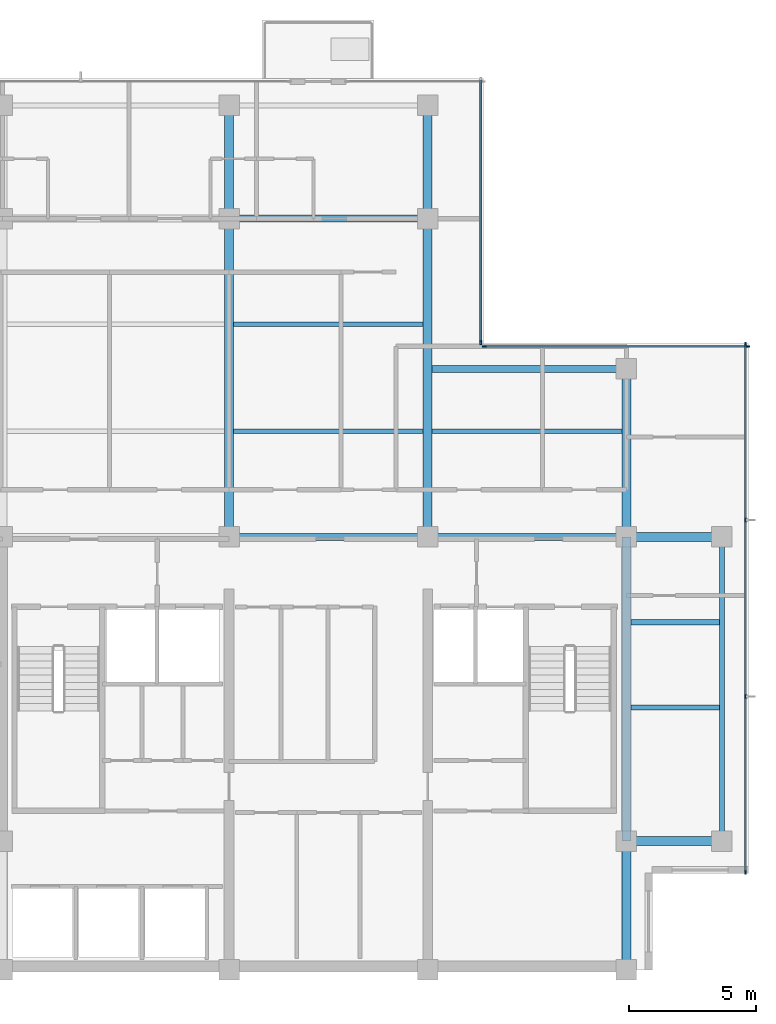
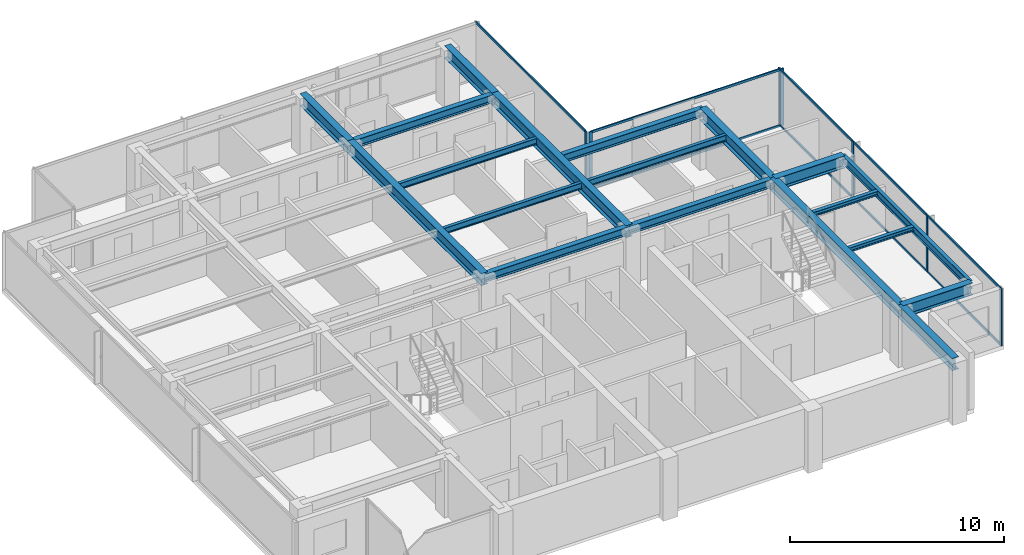
# One storey, part 3 of 12: 19 beams, 17 members, 3 elements without a shape of their own.
"""IFC4 building model written with IfcOpenShell, lengths in metres."""

from ifc_helpers import new_model, si_unit, direction, frame, origin, origin_2d, place, context, subcontext, project, spatial, rectangle, i_section, extrude, material, layer, layer_set, material_profile, profile_set, type_object, element, aggregate, save


model = new_model("IFC4")

# Units and contexts
model_context = context("Model", 3, precision=1e-05, world=origin(), true_north=direction((0.0, 1.0)))
body_context = subcontext(model_context, "Body", "Model", "MODEL_VIEW")
ifc_project = project(units=[si_unit("LENGTHUNIT", "METRE"), si_unit("AREAUNIT", "SQUARE_METRE"), si_unit("VOLUMEUNIT", "CUBIC_METRE"), si_unit("PLANEANGLEUNIT", "RADIAN"), si_unit("MASSUNIT", "GRAM", prefix="KILO")], contexts=[model_context])

# Site, building, storey
site_placement = place(None, origin())
site = spatial("IfcSite", under=ifc_project, at=site_placement, CompositionType="ELEMENT")
building_placement = place(site_placement, origin())
building = spatial("IfcBuilding", under=site, at=building_placement, Name="Qalmaran Belvedere Hotel", CompositionType="ELEMENT")
storey_placement = place(building_placement, frame((0.0, 0.0, 252.89990234375)))
storey = spatial("IfcBuildingStorey", under=building, at=storey_placement, Name="L65", CompositionType="ELEMENT", Elevation=252.89990234375)

# Beams
ifc_material_1 = material(Name="Steel S355JR", Category="steel")
ifc_material_profile_1 = material_profile(ifc_material_1, i_section(OverallWidth=0.201904296875, OverallDepth=0.2470703125, WebThickness=0.00732421875, FlangeThickness=0.010986328125, FilletRadius=0.011962890625, at=origin_2d()), Name="W250X49")
ifc_profile_set_1 = profile_set([ifc_material_profile_1], Name="Steel S355JR")
beam_type_1 = type_object("IfcBeamType", Name="BM-JST-W250X49", PredefinedType="JOIST", material=ifc_profile_set_1)
for number, where, z_axis, x_axis, name in (
    (1, (44.9755859375, 13.800048828125, 3.13671875), (1.0, 0.0, 0.0), (0.0, 1.0, 0.0), "L65 East Wing Joist 032"),
    (2, (44.9755859375, 17.14990234375, 3.13671875), (1.0, 0.0, 0.0), (0.0, 1.0, 0.0), "L65 East Wing Joist 034"),
):
    element("IfcBeam", number, at=place(storey_placement, frame(where, z_axis=z_axis, x_axis=x_axis)), inside=storey, type_object=beam_type_1, Name=name, PredefinedType="JOIST", context=body_context, shape_type="SweptSolid", body=[
        extrude(i_section(OverallWidth=0.201904296875, OverallDepth=0.2470703125, WebThickness=0.00732421875, FlangeThickness=0.010986328125, FilletRadius=0.011962890625, at=origin_2d()), origin(), (0.0, 0.0, 1.0), 3.48046875),
    ])
ifc_material_profile_2 = material_profile(ifc_material_1, i_section(OverallWidth=0.172119140625, OverallDepth=0.35791015625, WebThickness=0.0078125, FlangeThickness=0.01318359375, FilletRadius=0.014892578125, at=origin_2d()), Name="W360X57")
ifc_profile_set_2 = profile_set([ifc_material_profile_2], Name="Steel S355JR")
beam_type_2 = type_object("IfcBeamType", Name="BM-SB4-W360X57", PredefinedType="BEAM", material=ifc_profile_set_2)
for number, where, z_axis, x_axis, name in (
    (3, (29.37548828125, 24.64990234375, 3.0810546875), (1.0, 0.0, 0.0), (0.0, 1.0, 0.0), "L65 Secondary Floor Beam 026"),
    (4, (37.175537109375, 24.64990234375, 3.0810546875), (1.0, 0.0, 0.0), (0.0, 1.0, 0.0), "L65 Secondary Floor Beam 027"),
    (5, (29.37548828125, 28.85009765625, 3.0810546875), (1.0, 0.0, 0.0), (0.0, 1.0, 0.0), "L65 Secondary Floor Beam 030"),
):
    element("IfcBeam", number, at=place(storey_placement, frame(where, z_axis=z_axis, x_axis=x_axis)), inside=storey, type_object=beam_type_2, Name=name, PredefinedType="BEAM", context=body_context, shape_type="SweptSolid", body=[
        extrude(i_section(OverallWidth=0.172119140625, OverallDepth=0.35791015625, WebThickness=0.0078125, FlangeThickness=0.01318359375, FilletRadius=0.014892578125, at=origin_2d()), origin(), (0.0, 0.0, 1.0), 7.448974609375),
    ])
ifc_material_profile_3 = material_profile(ifc_material_1, i_section(OverallWidth=0.19189453125, OverallDepth=0.462890625, WebThickness=0.010498046875, FlangeThickness=0.017578125, FilletRadius=0.01611328125, at=origin_2d()), Name="W460X89")
ifc_profile_set_3 = profile_set([ifc_material_profile_3], Name="Steel S355JR")
beam_type_3 = type_object("IfcBeamType", Name="BM-SP2-W460X89", PredefinedType="SPANDREL", material=ifc_profile_set_3)
beam_1_placement = place(storey_placement, frame((48.550048828125, 8.550048828125, 3.028564453125), z_axis=(0.0, 1.0, 0.0), x_axis=(-1.0, 0.0, 0.0)))
element("IfcBeam", 6, at=beam_1_placement, inside=storey, type_object=beam_type_3, Name="L65 Perimeter Spandrel 03", PredefinedType="SPANDREL", context=body_context, shape_type="SweptSolid", body=[
    extrude(i_section(OverallWidth=0.19189453125, OverallDepth=0.462890625, WebThickness=0.010498046875, FlangeThickness=0.017578125, FilletRadius=0.01611328125, at=origin_2d()), origin(), (0.0, 0.0, 1.0), 11.949951171875),
])
ifc_material_profile_4 = material_profile(ifc_material_1, i_section(OverallWidth=0.35498046875, OverallDepth=0.695068359375, WebThickness=0.015380859375, FlangeThickness=0.02490234375, FilletRadius=0.02197265625, at=origin_2d()), Name="W690X217")
ifc_profile_set_4 = profile_set([ifc_material_profile_4], Name="Steel S355JR")
beam_type_4 = type_object("IfcBeamType", Name="BM-Z1-W690X217", PredefinedType="USERDEFINED", material=ifc_profile_set_4)
beam_2_placement = place(storey_placement, frame((29.199951171875, 20.5, 2.91259765625), z_axis=(0.0, 1.0, 0.0), x_axis=(-1.0, 0.0, 0.0)))
element("IfcBeam", 7, at=beam_2_placement, inside=storey, type_object=beam_type_4, Name="L65 Mid-Plate N-S Girder 13", ObjectType="GIRDER", PredefinedType="USERDEFINED", context=body_context, shape_type="SweptSolid", body=[
    extrude(i_section(OverallWidth=0.35498046875, OverallDepth=0.695068359375, WebThickness=0.015380859375, FlangeThickness=0.02490234375, FilletRadius=0.02197265625, at=origin_2d()), origin(), (0.0, 0.0, 1.0), 12.5),
])
beam_3_placement = place(storey_placement, frame((29.199951171875, 33.0, 2.91259765625), z_axis=(0.0, 1.0, 0.0), x_axis=(-1.0, 0.0, 0.0)))
element("IfcBeam", 8, at=beam_3_placement, inside=storey, type_object=beam_type_4, Name="L65 North Bay Girder 14", ObjectType="GIRDER", PredefinedType="USERDEFINED", context=body_context, shape_type="SweptSolid", body=[
    extrude(i_section(OverallWidth=0.35498046875, OverallDepth=0.695068359375, WebThickness=0.015380859375, FlangeThickness=0.02490234375, FilletRadius=0.02197265625, at=origin_2d()), origin(), (0.0, 0.0, 1.0), 4.449951171875),
])
beam_4_placement = place(storey_placement, frame((37.0, 20.5, 2.91259765625), z_axis=(0.0, 1.0, 0.0), x_axis=(-1.0, 0.0, 0.0)))
element("IfcBeam", 9, at=beam_4_placement, inside=storey, type_object=beam_type_4, Name="L65 Mid-Plate N-S Girder 15", ObjectType="GIRDER", PredefinedType="USERDEFINED", context=body_context, shape_type="SweptSolid", body=[
    extrude(i_section(OverallWidth=0.35498046875, OverallDepth=0.695068359375, WebThickness=0.015380859375, FlangeThickness=0.02490234375, FilletRadius=0.02197265625, at=origin_2d()), origin(), (0.0, 0.0, 1.0), 12.5),
])
beam_5_placement = place(storey_placement, frame((37.0, 33.0, 2.91259765625), z_axis=(0.0, 1.0, 0.0), x_axis=(-1.0, 0.0, 0.0)))
element("IfcBeam", 10, at=beam_5_placement, inside=storey, type_object=beam_type_4, Name="L65 North Bay Girder 16", ObjectType="GIRDER", PredefinedType="USERDEFINED", context=body_context, shape_type="SweptSolid", body=[
    extrude(i_section(OverallWidth=0.35498046875, OverallDepth=0.695068359375, WebThickness=0.015380859375, FlangeThickness=0.02490234375, FilletRadius=0.02197265625, at=origin_2d()), origin(), (0.0, 0.0, 1.0), 4.449951171875),
])
beam_6_placement = place(storey_placement, frame((44.800048828125, 20.5, 2.91259765625), z_axis=(0.0, 1.0, 0.0), x_axis=(-1.0, 0.0, 0.0)))
element("IfcBeam", 11, at=beam_6_placement, inside=storey, type_object=beam_type_4, Name="L65 Mid-Plate N-S Girder 17", ObjectType="GIRDER", PredefinedType="USERDEFINED", context=body_context, shape_type="SweptSolid", body=[
    extrude(i_section(OverallWidth=0.35498046875, OverallDepth=0.695068359375, WebThickness=0.015380859375, FlangeThickness=0.02490234375, FilletRadius=0.02197265625, at=origin_2d()), origin(), (0.0, 0.0, 1.0), 6.60009765625),
])
beam_7_placement = place(storey_placement, frame((44.800048828125, 3.5, 2.91259765625), z_axis=(0.0, 1.0, 0.0), x_axis=(-1.0, 0.0, 0.0)))
element("IfcBeam", 12, at=beam_7_placement, inside=storey, type_object=beam_type_4, Name="L65 East Core Edge Girder A", ObjectType="GIRDER", PredefinedType="USERDEFINED", context=body_context, shape_type="SweptSolid", body=[
    extrude(i_section(OverallWidth=0.35498046875, OverallDepth=0.695068359375, WebThickness=0.015380859375, FlangeThickness=0.02490234375, FilletRadius=0.02197265625, at=origin_2d()), origin(), (0.0, 0.0, 1.0), 5.050048828125),
])
beam_8_placement = place(storey_placement, frame((44.800048828125, 8.550048828125, 2.91259765625), z_axis=(0.0, 1.0, 0.0), x_axis=(-1.0, 0.0, 0.0)))
element("IfcBeam", 13, at=beam_8_placement, inside=storey, type_object=beam_type_4, Name="L65 East Core Edge Girder B", ObjectType="GIRDER", PredefinedType="USERDEFINED", context=body_context, shape_type="SweptSolid", body=[
    extrude(i_section(OverallWidth=0.35498046875, OverallDepth=0.695068359375, WebThickness=0.015380859375, FlangeThickness=0.02490234375, FilletRadius=0.02197265625, at=origin_2d()), origin(), (0.0, 0.0, 1.0), 11.949951171875),
])
for number, where, z_axis, x_axis, name in (
    (14, (44.800048828125, 8.550048828125, 2.91259765625), (1.0, 0.0, 0.0), (0.0, 1.0, 0.0), "L65 East Wing Girder 22"),
    (15, (44.800048828125, 20.5, 2.91259765625), (1.0, 0.0, 0.0), (0.0, 1.0, 0.0), "L65 East Wing Girder 23"),
):
    element("IfcBeam", number, at=place(storey_placement, frame(where, z_axis=z_axis, x_axis=x_axis)), inside=storey, type_object=beam_type_4, Name=name, ObjectType="GIRDER", PredefinedType="USERDEFINED", context=body_context, shape_type="SweptSolid", body=[
        extrude(i_section(OverallWidth=0.35498046875, OverallDepth=0.695068359375, WebThickness=0.015380859375, FlangeThickness=0.02490234375, FilletRadius=0.02197265625, at=origin_2d()), origin(), (0.0, 0.0, 1.0), 3.75),
    ])
ifc_material_profile_5 = material_profile(ifc_material_1, i_section(OverallWidth=0.280029296875, OverallDepth=0.462890625, WebThickness=0.0107421875, FlangeThickness=0.017333984375, FilletRadius=0.01611328125, at=origin_2d()), Name="W460X113")
ifc_profile_set_5 = profile_set([ifc_material_profile_5], Name="Steel S355JR")
beam_type_5 = type_object("IfcBeamType", Name="BM-Z5-W460X113", PredefinedType="USERDEFINED", material=ifc_profile_set_5)
for number, where, z_axis, x_axis, name in (
    (16, (29.199951171875, 20.5, 3.028564453125), (1.0, 0.0, 0.0), (0.0, 1.0, 0.0), "L65 Interior E-W Girder 07"),
    (17, (37.0, 20.5, 3.028564453125), (1.0, 0.0, 0.0), (0.0, 1.0, 0.0), "L65 Interior E-W Girder 08"),
    (18, (29.199951171875, 33.0, 3.028564453125), (1.0, 0.0, 0.0), (0.0, 1.0, 0.0), "L65 Interior E-W Girder 10"),
):
    element("IfcBeam", number, at=place(storey_placement, frame(where, z_axis=z_axis, x_axis=x_axis)), inside=storey, type_object=beam_type_5, Name=name, ObjectType="GIRDER", PredefinedType="USERDEFINED", context=body_context, shape_type="SweptSolid", body=[
        extrude(i_section(OverallWidth=0.280029296875, OverallDepth=0.462890625, WebThickness=0.0107421875, FlangeThickness=0.017333984375, FilletRadius=0.01611328125, at=origin_2d()), origin(), (0.0, 0.0, 1.0), 7.800048828125),
    ])
beam_9_placement = place(storey_placement, frame((37.175537109375, 27.10009765625, 3.028564453125), z_axis=(1.0, 0.0, 0.0), x_axis=(0.0, 1.0, 0.0)))
element("IfcBeam", 19, at=beam_9_placement, inside=storey, type_object=beam_type_5, Name="L65 North-East Notch Rim Girder", ObjectType="GIRDER", PredefinedType="USERDEFINED", context=body_context, shape_type="SweptSolid", body=[
    extrude(i_section(OverallWidth=0.280029296875, OverallDepth=0.462890625, WebThickness=0.0107421875, FlangeThickness=0.017333984375, FilletRadius=0.01611328125, at=origin_2d()), origin(), (0.0, 0.0, 1.0), 7.62451171875),
])

# Curtain wall, members
ifc_material_2 = material(Name="Anodised Bronze Aluminium", Category="aluminium")
ifc_layer = layer(ifc_material_2, 0.18505859375, Name="Anodised Bronze Aluminium")
ifc_layer_set = layer_set([ifc_layer], Name="Anodised Bronze Aluminium")
curtain_wall_type = type_object("IfcCurtainWallType", Name="CW6-TOWER-SKY", PredefinedType="NOTDEFINED", material=ifc_layer_set)
curtain_wall_1_placement = place(storey_placement, origin())
curtain_wall_1 = element("IfcCurtainWall", 20, at=curtain_wall_1_placement, inside=storey, type_object=curtain_wall_type, Name="L65 Curtain Wall CW6", PredefinedType="NOTDEFINED")
ifc_material_profile_6 = material_profile(ifc_material_2, rectangle(XDim=0.06494140625, YDim=0.1650390625, at=origin_2d()), Name="CWM65X165")
ifc_profile_set_6 = profile_set([ifc_material_profile_6], Name="Anodised Bronze Aluminium")
member_type_1 = type_object("IfcMemberType", Name="CWM-65X165", PredefinedType="MULLION", material=ifc_profile_set_6)
member_1_placement = place(storey_placement, frame((49.47998046875, 7.33251953125, 0.0), z_axis=(0.0, 0.0, 1.0), x_axis=(-1.0, 0.0, 0.0)))
member_1 = element("IfcMember", 21, at=member_1_placement, type_object=member_type_1, Name="CW6 mullion 1", PredefinedType="MULLION", context=body_context, shape_type="SweptSolid", body=[
    extrude(rectangle(XDim=0.06494140625, YDim=0.1650390625, at=origin_2d()), origin(), (0.0, 0.0, 1.0), 3.260009765625),
])
member_2_placement = place(storey_placement, frame((49.47998046875, 14.2333984375, 0.0), z_axis=(0.0, 0.0, 1.0), x_axis=(-1.0, 0.0, 0.0)))
member_2 = element("IfcMember", 22, at=member_2_placement, type_object=member_type_1, Name="CW6 mullion 2", PredefinedType="MULLION", context=body_context, shape_type="SweptSolid", body=[
    extrude(rectangle(XDim=0.06494140625, YDim=0.1650390625, at=origin_2d()), origin(), (0.0, 0.0, 1.0), 3.260009765625),
])
member_3_placement = place(storey_placement, frame((49.47998046875, 21.166748046875, 0.0), z_axis=(0.0, 0.0, 1.0), x_axis=(-1.0, 0.0, 0.0)))
member_3 = element("IfcMember", 23, at=member_3_placement, type_object=member_type_1, Name="CW6 mullion 3", PredefinedType="MULLION", context=body_context, shape_type="SweptSolid", body=[
    extrude(rectangle(XDim=0.06494140625, YDim=0.1650390625, at=origin_2d()), origin(), (0.0, 0.0, 1.0), 3.260009765625),
])
member_4_placement = place(storey_placement, frame((49.47998046875, 28.0673828125, 0.0), z_axis=(0.0, 0.0, 1.0), x_axis=(-1.0, 0.0, 0.0)))
member_4 = element("IfcMember", 24, at=member_4_placement, type_object=member_type_1, Name="CW6 mullion 4", PredefinedType="MULLION", context=body_context, shape_type="SweptSolid", body=[
    extrude(rectangle(XDim=0.06494140625, YDim=0.1650390625, at=origin_2d()), origin(), (0.0, 0.0, 1.0), 3.260009765625),
])

curtain_wall_2_placement = place(storey_placement, origin())
curtain_wall_2 = element("IfcCurtainWall", 25, at=curtain_wall_2_placement, inside=storey, type_object=curtain_wall_type, Name="L65 Curtain Wall CW6", PredefinedType="NOTDEFINED")
member_5_placement = place(storey_placement, frame((49.5673828125, 27.97998046875, 0.0), z_axis=(0.0, 0.0, 1.0), x_axis=(0.0, -1.0, 0.0)))
member_5 = element("IfcMember", 26, at=member_5_placement, type_object=member_type_1, Name="CW6 mullion 1", PredefinedType="MULLION", context=body_context, shape_type="SweptSolid", body=[
    extrude(rectangle(XDim=0.06494140625, YDim=0.1650390625, at=origin_2d()), origin(), (0.0, 0.0, 1.0), 3.260009765625),
])
member_6_placement = place(storey_placement, frame((39.232421875, 27.97998046875, 0.0), z_axis=(0.0, 0.0, 1.0), x_axis=(0.0, -1.0, 0.0)))
member_6 = element("IfcMember", 27, at=member_6_placement, type_object=member_type_1, Name="CW6 mullion 2", PredefinedType="MULLION", context=body_context, shape_type="SweptSolid", body=[
    extrude(rectangle(XDim=0.06494140625, YDim=0.1650390625, at=origin_2d()), origin(), (0.0, 0.0, 1.0), 3.260009765625),
])

# Curtain wall, member
curtain_wall_3_placement = place(storey_placement, origin())
curtain_wall_3 = element("IfcCurtainWall", 28, at=curtain_wall_3_placement, inside=storey, type_object=curtain_wall_type, Name="L65 Curtain Wall CW6", PredefinedType="NOTDEFINED")
member_7_placement = place(storey_placement, frame((39.080078125, 28.132568359375, 0.0), z_axis=(0.0, 0.0, 1.0), x_axis=(-1.0, 0.0, 0.0)))
member_7 = element("IfcMember", 29, at=member_7_placement, type_object=member_type_1, Name="CW6 mullion 1", PredefinedType="MULLION", context=body_context, shape_type="SweptSolid", body=[
    extrude(rectangle(XDim=0.06494140625, YDim=0.1650390625, at=origin_2d()), origin(), (0.0, 0.0, 1.0), 3.260009765625),
])

# Member
ifc_material_profile_7 = material_profile(ifc_material_2, rectangle(XDim=0.06494140625, YDim=0.1298828125, at=origin_2d()), Name="CWT65X130")
ifc_profile_set_7 = profile_set([ifc_material_profile_7], Name="Anodised Bronze Aluminium")
member_type_2 = type_object("IfcMemberType", Name="CWT-65X130", PredefinedType="USERDEFINED", material=ifc_profile_set_7)
member_8_placement = place(storey_placement, frame((49.47998046875, 7.364990234375, 0.03271484375), z_axis=(0.0, 1.0, 0.0), x_axis=(-1.0, 0.0, 0.0)))
member_8 = element("IfcMember", 30, at=member_8_placement, type_object=member_type_2, Name="CW6 transom 1.1", ObjectType="TRANSOM", PredefinedType="USERDEFINED", context=body_context, shape_type="SweptSolid", body=[
    extrude(rectangle(XDim=0.06494140625, YDim=0.1298828125, at=origin_2d()), origin(), (0.0, 0.0, 1.0), 6.8359375),
])

member_9_placement = place(storey_placement, frame((49.47998046875, 7.364990234375, 3.2275390625), z_axis=(0.0, 1.0, 0.0), x_axis=(-1.0, 0.0, 0.0)))
member_9 = element("IfcMember", 31, at=member_9_placement, type_object=member_type_2, Name="CW6 transom 1.2", ObjectType="TRANSOM", PredefinedType="USERDEFINED", context=body_context, shape_type="SweptSolid", body=[
    extrude(rectangle(XDim=0.06494140625, YDim=0.1298828125, at=origin_2d()), origin(), (0.0, 0.0, 1.0), 6.8359375),
])

member_10_placement = place(storey_placement, frame((49.47998046875, 14.265869140625, 0.03271484375), z_axis=(0.0, 1.0, 0.0), x_axis=(-1.0, 0.0, 0.0)))
member_10 = element("IfcMember", 32, at=member_10_placement, type_object=member_type_2, Name="CW6 transom 2.1", ObjectType="TRANSOM", PredefinedType="USERDEFINED", context=body_context, shape_type="SweptSolid", body=[
    extrude(rectangle(XDim=0.06494140625, YDim=0.1298828125, at=origin_2d()), origin(), (0.0, 0.0, 1.0), 6.868408203125),
])

member_11_placement = place(storey_placement, frame((49.47998046875, 14.265869140625, 3.2275390625), z_axis=(0.0, 1.0, 0.0), x_axis=(-1.0, 0.0, 0.0)))
member_11 = element("IfcMember", 33, at=member_11_placement, type_object=member_type_2, Name="CW6 transom 2.2", ObjectType="TRANSOM", PredefinedType="USERDEFINED", context=body_context, shape_type="SweptSolid", body=[
    extrude(rectangle(XDim=0.06494140625, YDim=0.1298828125, at=origin_2d()), origin(), (0.0, 0.0, 1.0), 6.868408203125),
])

member_12_placement = place(storey_placement, frame((49.47998046875, 21.19921875, 0.03271484375), z_axis=(0.0, 1.0, 0.0), x_axis=(-1.0, 0.0, 0.0)))
member_12 = element("IfcMember", 34, at=member_12_placement, type_object=member_type_2, Name="CW6 transom 3.1", ObjectType="TRANSOM", PredefinedType="USERDEFINED", context=body_context, shape_type="SweptSolid", body=[
    extrude(rectangle(XDim=0.06494140625, YDim=0.1298828125, at=origin_2d()), origin(), (0.0, 0.0, 1.0), 6.835693359375),
])

member_13_placement = place(storey_placement, frame((49.47998046875, 21.19921875, 3.2275390625), z_axis=(0.0, 1.0, 0.0), x_axis=(-1.0, 0.0, 0.0)))
member_13 = element("IfcMember", 35, at=member_13_placement, type_object=member_type_2, Name="CW6 transom 3.2", ObjectType="TRANSOM", PredefinedType="USERDEFINED", context=body_context, shape_type="SweptSolid", body=[
    extrude(rectangle(XDim=0.06494140625, YDim=0.1298828125, at=origin_2d()), origin(), (0.0, 0.0, 1.0), 6.835693359375),
])

aggregate(curtain_wall_1, [member_1, member_2, member_3, member_4, member_8, member_9, member_10, member_11, member_12, member_13])

member_14_placement = place(storey_placement, frame((49.534912109375, 27.97998046875, 0.03271484375), z_axis=(-1.0, 0.0, 0.0), x_axis=(0.0, -1.0, 0.0)))
member_14 = element("IfcMember", 36, at=member_14_placement, type_object=member_type_2, Name="CW6 transom 1.1", ObjectType="TRANSOM", PredefinedType="USERDEFINED", context=body_context, shape_type="SweptSolid", body=[
    extrude(rectangle(XDim=0.06494140625, YDim=0.1298828125, at=origin_2d()), origin(), (0.0, 0.0, 1.0), 10.27001953125),
])

member_15_placement = place(storey_placement, frame((49.534912109375, 27.97998046875, 3.2275390625), z_axis=(-1.0, 0.0, 0.0), x_axis=(0.0, -1.0, 0.0)))
member_15 = element("IfcMember", 37, at=member_15_placement, type_object=member_type_2, Name="CW6 transom 1.2", ObjectType="TRANSOM", PredefinedType="USERDEFINED", context=body_context, shape_type="SweptSolid", body=[
    extrude(rectangle(XDim=0.06494140625, YDim=0.1298828125, at=origin_2d()), origin(), (0.0, 0.0, 1.0), 10.27001953125),
])

aggregate(curtain_wall_2, [member_5, member_6, member_14, member_15])

member_16_placement = place(storey_placement, frame((39.080078125, 28.1650390625, 0.03271484375), z_axis=(0.0, 1.0, 0.0), x_axis=(-1.0, 0.0, 0.0)))
member_16 = element("IfcMember", 38, at=member_16_placement, type_object=member_type_2, Name="CW6 transom 1.1", ObjectType="TRANSOM", PredefinedType="USERDEFINED", context=body_context, shape_type="SweptSolid", body=[
    extrude(rectangle(XDim=0.06494140625, YDim=0.1298828125, at=origin_2d()), origin(), (0.0, 0.0, 1.0), 10.27001953125),
])

member_17_placement = place(storey_placement, frame((39.080078125, 28.1650390625, 3.2275390625), z_axis=(0.0, 1.0, 0.0), x_axis=(-1.0, 0.0, 0.0)))
member_17 = element("IfcMember", 39, at=member_17_placement, type_object=member_type_2, Name="CW6 transom 1.2", ObjectType="TRANSOM", PredefinedType="USERDEFINED", context=body_context, shape_type="SweptSolid", body=[
    extrude(rectangle(XDim=0.06494140625, YDim=0.1298828125, at=origin_2d()), origin(), (0.0, 0.0, 1.0), 10.27001953125),
])

aggregate(curtain_wall_3, [member_7, member_16, member_17])

save(model, "model.ifc")
